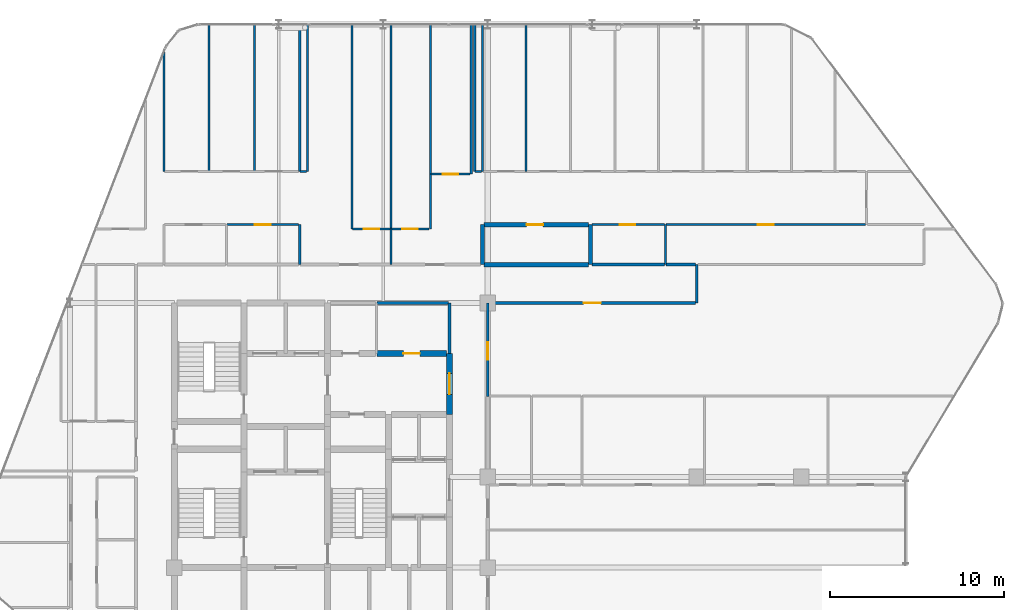
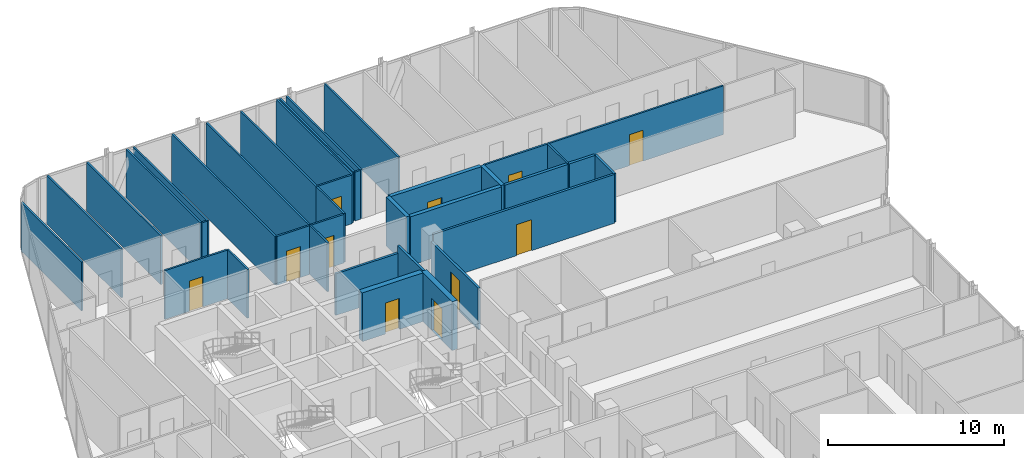
# One storey, part 29 of 31: 36 walls, 11 doors, 11 openings.
"""IFC4 building model written with IfcOpenShell, lengths in metres."""

from ifc_helpers import new_model, si_unit, direction, frame, frame_2d, origin, place, context, subcontext, project, spatial, rectangle, extrude, material, layer, layer_set, type_object, element, fill, save


model = new_model("IFC4")

# Units and contexts
model_context = context("Model", 3, precision=1e-05, world=origin(), true_north=direction((0.0, 1.0)))
body_context = subcontext(model_context, "Body", "Model", "MODEL_VIEW")
ifc_project = project(units=[si_unit("LENGTHUNIT", "METRE"), si_unit("AREAUNIT", "SQUARE_METRE"), si_unit("VOLUMEUNIT", "CUBIC_METRE"), si_unit("PLANEANGLEUNIT", "RADIAN"), si_unit("MASSUNIT", "GRAM", prefix="KILO")], contexts=[model_context])

# Site, building, storey
site_placement = place(None, origin())
site = spatial("IfcSite", under=ifc_project, at=site_placement, CompositionType="ELEMENT")
building_placement = place(site_placement, origin())
building = spatial("IfcBuilding", under=site, at=building_placement, Name="Keshet Zoharim Tower", CompositionType="ELEMENT")
storey_placement = place(building_placement, frame((0.0, 0.0, 144.60009765625)))
storey = spatial("IfcBuildingStorey", under=building, at=storey_placement, Name="L35", CompositionType="ELEMENT", Elevation=144.60009765625)

# Wall
ifc_material_1 = material(Name="Gypsum Plasterboard", Category="gypsum")
ifc_layer_1 = layer(ifc_material_1, 0.14990234375)
ifc_layer_set_1 = layer_set([ifc_layer_1], Name="Gypsum Plasterboard")
wall_type_1 = type_object("IfcWallType", Name="WL-CLIN-150", PredefinedType="STANDARD", material=ifc_layer_set_1)
wall_1_placement = place(storey_placement, frame((30.800048828125, 35.0, 0.0), z_axis=(0.0, 0.0, 1.0), x_axis=(0.0, 1.0, 0.0)))
element("IfcWall", 1, at=wall_1_placement, inside=storey, type_object=wall_type_1, Name="L35 Interior Wall 064", PredefinedType="STANDARD", context=body_context, shape_type="SweptSolid", body=[
    extrude(rectangle(XDim=2.89990234375, YDim=0.14990234375, at=frame_2d((1.449951171875, 0.0))), origin(), (0.0, 0.0, 1.0), 3.385009765625),
])

# Wall, opening, door
wall_2_placement = place(storey_placement, frame((33.0, 32.5400390625, 0.0), z_axis=(0.0, 0.0, 1.0), x_axis=(0.0, 1.0, 0.0)))
wall_2 = element("IfcWall", 2, at=wall_2_placement, inside=storey, type_object=wall_type_1, Name="L35 Interior Wall 072", PredefinedType="STANDARD", context=body_context, shape_type="SweptSolid", body=[
    extrude(rectangle(XDim=5.35986328125, YDim=0.14990234375, at=frame_2d((2.679931640625, 0.0))), origin(), (0.0, 0.0, 1.0), 2.885009765625),
])
opening_1_placement = place(wall_2_placement, frame((2.10888671875, 0.0, 0.0)))
opening_1 = element("IfcOpeningElement", 3, at=opening_1_placement, cuts=wall_2, Name="Opening D-F310", PredefinedType="OPENING", context=body_context, shape_type="SweptSolid", body=[
    extrude(rectangle(XDim=1.0, YDim=2.14990234375, at=frame_2d((0.5, 1.074951171875))), frame((0.0, 0.0849609375, 0.0), z_axis=(0.0, -1.0, 0.0), x_axis=(1.0, 0.0, 0.0)), (0.0, 0.0, 1.0), 0.169921875),
])
ifc_material_2 = material(Name="Hardwood Timber", Category="wood")
door_type_1 = type_object("IfcDoorType", Name="DR-FD30-100", OperationType="NOTDEFINED", PredefinedType="DOOR", material=ifc_material_2)
door_1_placement = place(opening_1_placement, origin())
door_1 = element("IfcDoor", 4, at=door_1_placement, inside=storey, type_object=door_type_1, Name="L35 North East Residents Services Suite Door 2", OperationType="SINGLE_SWING_RIGHT", OverallHeight=2.14990234375, OverallWidth=1.0, PredefinedType="DOOR", context=body_context, shape_type="SweptSolid", body=[
    extrude(rectangle(XDim=1.0, YDim=2.14990234375, at=frame_2d((0.5, 1.074951171875))), frame((0.0, 0.02490234375, 0.0), z_axis=(0.0, -1.0, 0.0), x_axis=(1.0, 0.0, 0.0)), (0.0, 0.0, 1.0), 0.050048828125),
])
fill(opening_1, door_1)

# Walls
wall_3_placement = place(storey_placement, frame((45.0, 37.89990234375, 0.0), z_axis=(0.0, 0.0, 1.0), x_axis=(0.0, 1.0, 0.0)))
element("IfcWall", 5, at=wall_3_placement, inside=storey, type_object=wall_type_1, Name="L35 Interior Wall 090", PredefinedType="STANDARD", context=body_context, shape_type="SweptSolid", body=[
    extrude(rectangle(XDim=2.2001953125, YDim=0.14990234375, at=frame_2d((1.10009765625, 0.0))), origin(), (0.0, 0.0, 1.0), 3.385009765625),
])
wall_4_placement = place(storey_placement, frame((26.64501953125, 37.89990234375, 0.0), z_axis=(0.0, 0.0, 1.0), x_axis=(1.0, 0.0, 0.0)))
element("IfcWall", 6, at=wall_4_placement, inside=storey, type_object=wall_type_1, Name="L35 Interior Wall 174", PredefinedType="STANDARD", context=body_context, shape_type="SweptSolid", body=[
    extrude(rectangle(XDim=4.094970703125, YDim=0.14990234375, at=frame_2d((2.04736328125, 0.0))), origin(), (0.0, 0.0, 1.0), 2.885009765625),
])

# Wall, opening, door
wall_5_placement = place(storey_placement, frame((33.06005859375, 37.89990234375, 0.0), z_axis=(0.0, 0.0, 1.0), x_axis=(1.0, 0.0, 0.0)))
wall_5 = element("IfcWall", 7, at=wall_5_placement, inside=storey, type_object=wall_type_1, Name="L35 Interior Wall 175", PredefinedType="STANDARD", context=body_context, shape_type="SweptSolid", body=[
    extrude(rectangle(XDim=11.87890625, YDim=0.14990234375, at=frame_2d((5.939453125, 0.0))), origin(), (0.0, 0.0, 1.0), 3.385009765625),
])
opening_2_placement = place(wall_5_placement, frame((5.43896484375, 0.0, 0.0)))
opening_2 = element("IfcOpeningElement", 8, at=opening_2_placement, cuts=wall_5, Name="Opening D-F310", PredefinedType="OPENING", context=body_context, shape_type="SweptSolid", body=[
    extrude(rectangle(XDim=1.0, YDim=2.14990234375, at=frame_2d((0.5, 1.074951171875))), frame((0.0, 0.0849609375, 0.0), z_axis=(0.0, -1.0, 0.0), x_axis=(1.0, 0.0, 0.0)), (0.0, 0.0, 1.0), 0.169921875),
])
door_2_placement = place(opening_2_placement, origin())
door_2 = element("IfcDoor", 9, at=door_2_placement, inside=storey, type_object=door_type_1, Name="L35 North East Residents Services Suite Door 1", OperationType="SINGLE_SWING_RIGHT", OverallHeight=2.14990234375, OverallWidth=1.0, PredefinedType="DOOR", context=body_context, shape_type="SweptSolid", body=[
    extrude(rectangle(XDim=1.0, YDim=2.14990234375, at=frame_2d((0.5, 1.074951171875))), frame((0.0, 0.02490234375, 0.0), z_axis=(0.0, -1.0, 0.0), x_axis=(1.0, 0.0, 0.0)), (0.0, 0.0, 1.0), 0.050048828125),
])
fill(opening_2, door_2)

ifc_material_3 = material(Name="Concrete C60/75", Category="concrete")
ifc_layer_2 = layer(ifc_material_3, 0.35009765625)
ifc_layer_set_2 = layer_set([ifc_layer_2], Name="Concrete C60/75")
wall_type_2 = type_object("IfcWallType", Name="WL-CORE-350", PredefinedType="SHEAR", material=ifc_layer_set_2)
wall_6_placement = place(storey_placement, frame((30.800048828125, 31.5, 0.0), z_axis=(0.0, 0.0, 1.0), x_axis=(0.0, 1.0, 0.0)))
wall_6 = element("IfcWall", 10, at=wall_6_placement, inside=storey, type_object=wall_type_2, Name="L35 Core Shear Wall 063", PredefinedType="SHEAR", context=body_context, shape_type="SweptSolid", body=[
    extrude(rectangle(XDim=3.5, YDim=0.35009765625, at=frame_2d((1.75, 0.0))), origin(), (0.0, 0.0, 1.0), 3.385009765625),
])
opening_3_placement = place(wall_6_placement, frame((1.14990234375, 0.0, 0.0)))
opening_3 = element("IfcOpeningElement", 11, at=opening_3_placement, cuts=wall_6, Name="Opening D-F612", PredefinedType="OPENING", context=body_context, shape_type="SweptSolid", body=[
    extrude(rectangle(XDim=1.199951171875, YDim=2.199951171875, at=frame_2d((0.60009765625, 1.10009765625))), frame((0.0, 0.18505859375, 0.0), z_axis=(0.0, -1.0, 0.0), x_axis=(1.0, 0.0, 0.0)), (0.0, 0.0, 1.0), 0.3701171875),
])
door_type_2 = type_object("IfcDoorType", Name="DR-FD60-120", OperationType="NOTDEFINED", PredefinedType="DOOR", material=ifc_material_2)
door_3_placement = place(opening_3_placement, origin())
door_3 = element("IfcDoor", 12, at=door_3_placement, inside=storey, type_object=door_type_2, Name="L35 North Lift Lobby East Fire Door", OperationType="SINGLE_SWING_LEFT", OverallHeight=2.199951171875, OverallWidth=1.199951171875, PredefinedType="DOOR", context=body_context, shape_type="SweptSolid", body=[
    extrude(rectangle(XDim=1.199951171875, YDim=2.199951171875, at=frame_2d((0.60009765625, 1.10009765625))), frame((0.0, 0.02490234375, 0.0), z_axis=(0.0, -1.0, 0.0), x_axis=(1.0, 0.0, 0.0)), (0.0, 0.0, 1.0), 0.050048828125),
])
fill(opening_3, door_3)

wall_7_placement = place(storey_placement, frame((26.64501953125, 35.0, 0.0), z_axis=(0.0, 0.0, 1.0), x_axis=(1.0, 0.0, 0.0)))
wall_7 = element("IfcWall", 13, at=wall_7_placement, inside=storey, type_object=wall_type_2, Name="L35 Core Shear Wall 170", PredefinedType="SHEAR", context=body_context, shape_type="SweptSolid", body=[
    extrude(rectangle(XDim=3.994873046875, YDim=0.35009765625, at=frame_2d((1.99755859375, 0.0))), origin(), (0.0, 0.0, 1.0), 3.385009765625),
])
opening_4_placement = place(wall_7_placement, frame((1.508056640625, 0.0, 0.0)))
opening_4 = element("IfcOpeningElement", 14, at=opening_4_placement, cuts=wall_7, Name="Opening D-F695", PredefinedType="OPENING", context=body_context, shape_type="SweptSolid", body=[
    extrude(rectangle(XDim=0.949951171875, YDim=2.14990234375, at=frame_2d((0.47509765625, 1.074951171875))), frame((0.0, 0.18505859375, 0.0), z_axis=(0.0, -1.0, 0.0), x_axis=(1.0, 0.0, 0.0)), (0.0, 0.0, 1.0), 0.3701171875),
])
door_type_3 = type_object("IfcDoorType", Name="DR-FD60-095", OperationType="NOTDEFINED", PredefinedType="DOOR", material=ifc_material_2)
door_4_placement = place(opening_4_placement, frame((0.949951171875, 0.0, 0.0), z_axis=(0.0, 0.0, 1.0), x_axis=(-1.0, 0.0, 0.0)))
door_4 = element("IfcDoor", 15, at=door_4_placement, inside=storey, type_object=door_type_3, Name="L35 Quiet Study Room Door", OperationType="SINGLE_SWING_LEFT", OverallHeight=2.14990234375, OverallWidth=0.949951171875, PredefinedType="DOOR", context=body_context, shape_type="SweptSolid", body=[
    extrude(rectangle(XDim=0.949951171875, YDim=2.14990234375, at=frame_2d((0.47509765625, 1.074951171875))), frame((0.0, 0.02490234375, 0.0), z_axis=(0.0, -1.0, 0.0), x_axis=(1.0, 0.0, 0.0)), (0.0, 0.0, 1.0), 0.050048828125),
])
fill(opening_4, door_4)

# Walls
ifc_layer_3 = layer(ifc_material_1, 0.179931640625)
ifc_layer_set_3 = layer_set([ifc_layer_3], Name="Gypsum Plasterboard")
wall_type_3 = type_object("IfcWallType", Name="WL-CORR-180", PredefinedType="STANDARD", material=ifc_layer_set_3)
wall_8_placement = place(storey_placement, frame((38.989990234375, 40.10009765625, 0.0), z_axis=(0.0, 0.0, 1.0), x_axis=(1.0, 0.0, 0.0)))
element("IfcWall", 16, at=wall_8_placement, inside=storey, type_object=wall_type_3, Name="L35 Interior Wall 183", PredefinedType="STANDARD", context=body_context, shape_type="SweptSolid", body=[
    extrude(rectangle(XDim=4.14501953125, YDim=0.179931640625, at=frame_2d((2.072509765625, 0.0))), origin(), (0.0, 0.0, 1.0), 3.385009765625),
])
wall_9_placement = place(storey_placement, frame((43.22509765625, 40.10009765625, 0.0), z_axis=(0.0, 0.0, 1.0), x_axis=(1.0, 0.0, 0.0)))
element("IfcWall", 17, at=wall_9_placement, inside=storey, type_object=wall_type_3, Name="L35 Interior Wall 184", PredefinedType="STANDARD", context=body_context, shape_type="SweptSolid", body=[
    extrude(rectangle(XDim=1.71484375, YDim=0.179931640625, at=frame_2d((0.857421875, 0.0))), origin(), (0.0, 0.0, 1.0), 3.385009765625),
])
ifc_material_4 = material(Name="Concrete C50/60", Category="concrete")
ifc_layer_4 = layer(ifc_material_4, 0.25)
ifc_layer_set_4 = layer_set([ifc_layer_4], Name="Concrete C50/60")
wall_type_4 = type_object("IfcWallType", Name="WL-MAMAD-250", PredefinedType="STANDARD", material=ifc_layer_set_4)
for number, where, z_axis, x_axis, name in (
    (18, (32.699951171875, 40.10009765625, 0.0), (0.0, 0.0, 1.0), (0.0, 1.0, 0.0), "L35 Interior Wall 067"),
    (19, (38.89990234375, 40.10009765625, 0.0), (0.0, 0.0, 1.0), (0.0, 1.0, 0.0), "L35 Interior Wall 083"),
):
    element("IfcWall", number, at=place(storey_placement, frame(where, z_axis=z_axis, x_axis=x_axis)), inside=storey, type_object=wall_type_4, Name=name, PredefinedType="STANDARD", context=body_context, shape_type="SweptSolid", body=[
        extrude(rectangle(XDim=2.2998046875, YDim=0.25, at=frame_2d((1.14990234375, 0.0))), origin(), (0.0, 0.0, 1.0), 3.385009765625),
    ])
wall_10_placement = place(storey_placement, frame((32.7900390625, 40.10009765625, 0.0), z_axis=(0.0, 0.0, 1.0), x_axis=(1.0, 0.0, 0.0)))
element("IfcWall", 20, at=wall_10_placement, inside=storey, type_object=wall_type_4, Name="L35 Interior Wall 182", PredefinedType="STANDARD", context=body_context, shape_type="SweptSolid", body=[
    extrude(rectangle(XDim=5.97998046875, YDim=0.25, at=frame_2d((2.989990234375, 0.0))), origin(), (0.0, 0.0, 1.0), 3.385009765625),
])

# Wall, opening, door
wall_11_placement = place(storey_placement, frame((32.7900390625, 42.39990234375, 0.0), z_axis=(0.0, 0.0, 1.0), x_axis=(1.0, 0.0, 0.0)))
wall_11 = element("IfcWall", 21, at=wall_11_placement, inside=storey, type_object=wall_type_4, Name="L35 Interior Wall 191", PredefinedType="STANDARD", context=body_context, shape_type="SweptSolid", body=[
    extrude(rectangle(XDim=5.97998046875, YDim=0.25, at=frame_2d((2.989990234375, 0.0))), origin(), (0.0, 0.0, 1.0), 3.385009765625),
])
opening_5_placement = place(wall_11_placement, frame((2.443115234375, 0.0, 0.0)))
opening_5 = element("IfcOpeningElement", 22, at=opening_5_placement, cuts=wall_11, Name="Opening D-F695", PredefinedType="OPENING", context=body_context, shape_type="SweptSolid", body=[
    extrude(rectangle(XDim=0.949951171875, YDim=2.14990234375, at=frame_2d((0.47509765625, 1.074951171875))), frame((0.0, 0.135009765625, 0.0), z_axis=(0.0, -1.0, 0.0), x_axis=(1.0, 0.0, 0.0)), (0.0, 0.0, 1.0), 0.27001953125),
])
door_5_placement = place(opening_5_placement, origin())
door_5 = element("IfcDoor", 23, at=door_5_placement, inside=storey, type_object=door_type_3, Name="Apartment 3506 Study and Shelter Room Door", OperationType="SINGLE_SWING_RIGHT", OverallHeight=2.14990234375, OverallWidth=0.949951171875, PredefinedType="DOOR", context=body_context, shape_type="SweptSolid", body=[
    extrude(rectangle(XDim=0.949951171875, YDim=2.14990234375, at=frame_2d((0.47509765625, 1.074951171875))), frame((0.0, 0.02490234375, 0.0), z_axis=(0.0, -1.0, 0.0), x_axis=(1.0, 0.0, 0.0)), (0.0, 0.0, 1.0), 0.050048828125),
])
fill(opening_5, door_5)

# Walls
ifc_layer_5 = layer(ifc_material_1, 0.1201171875)
ifc_layer_set_5 = layer_set([ifc_layer_5], Name="Gypsum Plasterboard")
wall_type_5 = type_object("IfcWallType", Name="WL-PART-120", PredefinedType="PARTITIONING", material=ifc_layer_set_5)
wall_12_placement = place(storey_placement, frame((14.39990234375, 45.449951171875, 0.0), z_axis=(0.0, 0.0, 1.0), x_axis=(0.0, 1.0, 0.0)))
element("IfcWall", 24, at=wall_12_placement, inside=storey, type_object=wall_type_5, Name="L35 Interior Wall 013", PredefinedType="PARTITIONING", context=body_context, shape_type="SweptSolid", body=[
    extrude(rectangle(XDim=6.880126953125, YDim=0.1201171875, at=frame_2d((3.43994140625, 0.0))), origin(), (0.0, 0.0, 1.0), 3.385009765625),
])
for number, where, z_axis, x_axis, name in (
    (25, (17.0, 45.449951171875, 0.0), (0.0, 0.0, 1.0), (0.0, 1.0, 0.0), "L35 Interior Wall 020"),
    (26, (19.60009765625, 45.449951171875, 0.0), (0.0, 0.0, 1.0), (0.0, 1.0, 0.0), "L35 Interior Wall 029"),
    (27, (22.199951171875, 45.449951171875, 0.0), (0.0, 0.0, 1.0), (0.0, 1.0, 0.0), "L35 Interior Wall 034"),
    (28, (22.64990234375, 45.449951171875, 0.0), (0.0, 0.0, 1.0), (0.0, 1.0, 0.0), "L35 Interior Wall 035"),
):
    element("IfcWall", number, at=place(storey_placement, frame(where, z_axis=z_axis, x_axis=x_axis)), inside=storey, type_object=wall_type_5, Name=name, PredefinedType="PARTITIONING", context=body_context, shape_type="SweptSolid", body=[
        extrude(rectangle(XDim=8.43994140625, YDim=0.1201171875, at=frame_2d((4.219970703125, 0.0))), origin(), (0.0, 0.0, 1.0), 3.385009765625),
    ])
wall_13_placement = place(storey_placement, frame((25.199951171875, 42.14990234375, 0.0), z_axis=(0.0, 0.0, 1.0), x_axis=(0.0, 1.0, 0.0)))
element("IfcWall", 29, at=wall_13_placement, inside=storey, type_object=wall_type_5, Name="L35 Interior Wall 043", PredefinedType="PARTITIONING", context=body_context, shape_type="SweptSolid", body=[
    extrude(rectangle(XDim=11.739990234375, YDim=0.1201171875, at=frame_2d((5.8701171875, 0.0))), origin(), (0.0, 0.0, 1.0), 3.385009765625),
])
wall_14_placement = place(storey_placement, frame((27.449951171875, 40.10009765625, 0.0), z_axis=(0.0, 0.0, 1.0), x_axis=(0.0, 1.0, 0.0)))
element("IfcWall", 30, at=wall_14_placement, inside=storey, type_object=wall_type_5, Name="L35 Interior Wall 051", PredefinedType="PARTITIONING", context=body_context, shape_type="SweptSolid", body=[
    extrude(rectangle(XDim=2.0498046875, YDim=0.1201171875, at=frame_2d((1.02490234375, 0.0))), origin(), (0.0, 0.0, 1.0), 3.385009765625),
])
wall_15_placement = place(storey_placement, frame((27.449951171875, 42.14990234375, 0.0), z_axis=(0.0, 0.0, 1.0), x_axis=(0.0, 1.0, 0.0)))
element("IfcWall", 31, at=wall_15_placement, inside=storey, type_object=wall_type_5, Name="L35 Interior Wall 052", PredefinedType="PARTITIONING", context=body_context, shape_type="SweptSolid", body=[
    extrude(rectangle(XDim=11.739990234375, YDim=0.1201171875, at=frame_2d((5.8701171875, 0.0))), origin(), (0.0, 0.0, 1.0), 3.385009765625),
])
wall_16_placement = place(storey_placement, frame((29.699951171875, 42.14990234375, 0.0), z_axis=(0.0, 0.0, 1.0), x_axis=(0.0, 1.0, 0.0)))
element("IfcWall", 32, at=wall_16_placement, inside=storey, type_object=wall_type_5, Name="L35 Interior Wall 056", PredefinedType="PARTITIONING", context=body_context, shape_type="SweptSolid", body=[
    extrude(rectangle(XDim=3.150146484375, YDim=0.1201171875, at=frame_2d((1.5751953125, 0.0))), origin(), (0.0, 0.0, 1.0), 3.385009765625),
])
for number, where, z_axis, x_axis, name in (
    (33, (29.699951171875, 45.300048828125, 0.0), (0.0, 0.0, 1.0), (0.0, 1.0, 0.0), "L35 Interior Wall 057"),
    (34, (32.050048828125, 45.300048828125, 0.0), (0.0, 0.0, 1.0), (0.0, 1.0, 0.0), "L35 Interior Wall 065"),
):
    element("IfcWall", number, at=place(storey_placement, frame(where, z_axis=z_axis, x_axis=x_axis)), inside=storey, type_object=wall_type_5, Name=name, PredefinedType="PARTITIONING", context=body_context, shape_type="SweptSolid", body=[
        extrude(rectangle(XDim=8.58984375, YDim=0.1201171875, at=frame_2d((4.294921875, 0.0))), origin(), (0.0, 0.0, 1.0), 3.385009765625),
    ])
for number, where, z_axis, x_axis, name in (
    (35, (32.25, 45.449951171875, 0.0), (0.0, 0.0, 1.0), (0.0, 1.0, 0.0), "L35 Interior Wall 066"),
    (36, (32.699951171875, 45.449951171875, 0.0), (0.0, 0.0, 1.0), (0.0, 1.0, 0.0), "L35 Interior Wall 068"),
    (37, (35.199951171875, 45.449951171875, 0.0), (0.0, 0.0, 1.0), (0.0, 1.0, 0.0), "L35 Interior Wall 076"),
):
    element("IfcWall", number, at=place(storey_placement, frame(where, z_axis=z_axis, x_axis=x_axis)), inside=storey, type_object=wall_type_5, Name=name, PredefinedType="PARTITIONING", context=body_context, shape_type="SweptSolid", body=[
        extrude(rectangle(XDim=8.43994140625, YDim=0.1201171875, at=frame_2d((4.219970703125, 0.0))), origin(), (0.0, 0.0, 1.0), 3.385009765625),
    ])

# Wall, openings, doors
wall_17_placement = place(storey_placement, frame((25.22509765625, 42.14990234375, 0.0), z_axis=(0.0, 0.0, 1.0), x_axis=(1.0, 0.0, 0.0)))
wall_17 = element("IfcWall", 38, at=wall_17_placement, inside=storey, type_object=wall_type_5, Name="L35 Interior Wall 187", PredefinedType="PARTITIONING", context=body_context, shape_type="SweptSolid", body=[
    extrude(rectangle(XDim=4.409912109375, YDim=0.1201171875, at=frame_2d((2.205078125, 0.0))), origin(), (0.0, 0.0, 1.0), 3.385009765625),
])
opening_6_placement = place(wall_17_placement, frame((0.655029296875, 0.0, 0.0)))
opening_6 = element("IfcOpeningElement", 39, at=opening_6_placement, cuts=wall_17, Name="Opening D-IN90", PredefinedType="OPENING", context=body_context, shape_type="SweptSolid", body=[
    extrude(rectangle(XDim=0.89990234375, YDim=2.14990234375, at=frame_2d((0.449951171875, 1.074951171875))), frame((0.0, 0.070068359375, 0.0), z_axis=(0.0, -1.0, 0.0), x_axis=(1.0, 0.0, 0.0)), (0.0, 0.0, 1.0), 0.14013671875),
])
opening_7_placement = place(wall_17_placement, frame((2.85498046875, 0.0, 0.0)))
opening_7 = element("IfcOpeningElement", 40, at=opening_7_placement, cuts=wall_17, Name="Opening D-IN90", PredefinedType="OPENING", context=body_context, shape_type="SweptSolid", body=[
    extrude(rectangle(XDim=0.89990234375, YDim=2.14990234375, at=frame_2d((0.449951171875, 1.074951171875))), frame((0.0, 0.070068359375, 0.0), z_axis=(0.0, -1.0, 0.0), x_axis=(1.0, 0.0, 0.0)), (0.0, 0.0, 1.0), 0.14013671875),
])
door_type_4 = type_object("IfcDoorType", Name="DR-INT-090", OperationType="NOTDEFINED", PredefinedType="DOOR", material=ifc_material_2)
door_6_placement = place(opening_6_placement, origin())
door_6 = element("IfcDoor", 41, at=door_6_placement, inside=storey, type_object=door_type_4, Name="Apartment 3505 Formal Dining Room Door", OperationType="SINGLE_SWING_RIGHT", OverallHeight=2.14990234375, OverallWidth=0.89990234375, PredefinedType="DOOR", context=body_context, shape_type="SweptSolid", body=[
    extrude(rectangle(XDim=0.89990234375, YDim=2.14990234375, at=frame_2d((0.449951171875, 1.074951171875))), frame((0.0, 0.02490234375, 0.0), z_axis=(0.0, -1.0, 0.0), x_axis=(1.0, 0.0, 0.0)), (0.0, 0.0, 1.0), 0.050048828125),
])
fill(opening_6, door_6)
door_7_placement = place(opening_7_placement, origin())
door_7 = element("IfcDoor", 42, at=door_7_placement, inside=storey, type_object=door_type_4, Name="Apartment 3506 Formal Dining Room Door", OperationType="SINGLE_SWING_LEFT", OverallHeight=2.14990234375, OverallWidth=0.89990234375, PredefinedType="DOOR", context=body_context, shape_type="SweptSolid", body=[
    extrude(rectangle(XDim=0.89990234375, YDim=2.14990234375, at=frame_2d((0.449951171875, 1.074951171875))), frame((0.0, 0.02490234375, 0.0), z_axis=(0.0, -1.0, 0.0), x_axis=(1.0, 0.0, 0.0)), (0.0, 0.0, 1.0), 0.050048828125),
])
fill(opening_7, door_7)

# Wall, opening, door
wall_18_placement = place(storey_placement, frame((43.22509765625, 42.39990234375, 0.0), z_axis=(0.0, 0.0, 1.0), x_axis=(1.0, 0.0, 0.0)))
wall_18 = element("IfcWall", 43, at=wall_18_placement, inside=storey, type_object=wall_type_5, Name="L35 Interior Wall 193", PredefinedType="PARTITIONING", context=body_context, shape_type="SweptSolid", body=[
    extrude(rectangle(XDim=11.47998046875, YDim=0.1201171875, at=frame_2d((5.739990234375, 0.0))), origin(), (0.0, 0.0, 1.0), 3.385009765625),
])
opening_8_placement = place(wall_18_placement, frame((5.2900390625, 0.0, 0.0)))
opening_8 = element("IfcOpeningElement", 44, at=opening_8_placement, cuts=wall_18, Name="Opening D-IN90", PredefinedType="OPENING", context=body_context, shape_type="SweptSolid", body=[
    extrude(rectangle(XDim=0.89990234375, YDim=2.14990234375, at=frame_2d((0.449951171875, 1.074951171875))), frame((0.0, 0.070068359375, 0.0), z_axis=(0.0, -1.0, 0.0), x_axis=(1.0, 0.0, 0.0)), (0.0, 0.0, 1.0), 0.14013671875),
])
door_8_placement = place(opening_8_placement, origin())
door_8 = element("IfcDoor", 45, at=door_8_placement, inside=storey, type_object=door_type_4, Name="Apartment 3506 Kitchen Door", OperationType="SINGLE_SWING_RIGHT", OverallHeight=2.14990234375, OverallWidth=0.89990234375, PredefinedType="DOOR", context=body_context, shape_type="SweptSolid", body=[
    extrude(rectangle(XDim=0.89990234375, YDim=2.14990234375, at=frame_2d((0.449951171875, 1.074951171875))), frame((0.0, 0.02490234375, 0.0), z_axis=(0.0, -1.0, 0.0), x_axis=(1.0, 0.0, 0.0)), (0.0, 0.0, 1.0), 0.050048828125),
])
fill(opening_8, door_8)

wall_19_placement = place(storey_placement, frame((29.72509765625, 45.300048828125, 0.0), z_axis=(0.0, 0.0, 1.0), x_axis=(1.0, 0.0, 0.0)))
wall_19 = element("IfcWall", 46, at=wall_19_placement, inside=storey, type_object=wall_type_5, Name="L35 Interior Wall 195", PredefinedType="PARTITIONING", context=body_context, shape_type="SweptSolid", body=[
    extrude(rectangle(XDim=2.260009765625, YDim=0.1201171875, at=frame_2d((1.1298828125, 0.0))), origin(), (0.0, 0.0, 1.0), 3.385009765625),
])
opening_9_placement = place(wall_19_placement, frame((0.679931640625, 0.0, 0.0)))
opening_9 = element("IfcOpeningElement", 47, at=opening_9_placement, cuts=wall_19, Name="Opening D-IN90", PredefinedType="OPENING", context=body_context, shape_type="SweptSolid", body=[
    extrude(rectangle(XDim=0.89990234375, YDim=2.14990234375, at=frame_2d((0.449951171875, 1.074951171875))), frame((0.0, 0.070068359375, 0.0), z_axis=(0.0, -1.0, 0.0), x_axis=(1.0, 0.0, 0.0)), (0.0, 0.0, 1.0), 0.14013671875),
])
door_9_placement = place(opening_9_placement, origin())
door_9 = element("IfcDoor", 48, at=door_9_placement, inside=storey, type_object=door_type_4, Name="Apartment 3506 Home Study Room Door", OperationType="SINGLE_SWING_LEFT", OverallHeight=2.14990234375, OverallWidth=0.89990234375, PredefinedType="DOOR", context=body_context, shape_type="SweptSolid", body=[
    extrude(rectangle(XDim=0.89990234375, YDim=2.14990234375, at=frame_2d((0.449951171875, 1.074951171875))), frame((0.0, 0.02490234375, 0.0), z_axis=(0.0, -1.0, 0.0), x_axis=(1.0, 0.0, 0.0)), (0.0, 0.0, 1.0), 0.050048828125),
])
fill(opening_9, door_9)

# Walls
wall_20_placement = place(storey_placement, frame((22.22509765625, 45.449951171875, 0.0), z_axis=(0.0, 0.0, 1.0), x_axis=(1.0, 0.0, 0.0)))
element("IfcWall", 49, at=wall_20_placement, inside=storey, type_object=wall_type_5, Name="L35 Interior Wall 197", PredefinedType="PARTITIONING", context=body_context, shape_type="SweptSolid", body=[
    extrude(rectangle(XDim=0.35986328125, YDim=0.1201171875, at=frame_2d((0.179931640625, 0.0))), origin(), (0.0, 0.0, 1.0), 3.385009765625),
])
wall_21_placement = place(storey_placement, frame((32.27490234375, 45.449951171875, 0.0), z_axis=(0.0, 0.0, 1.0), x_axis=(1.0, 0.0, 0.0)))
element("IfcWall", 50, at=wall_21_placement, inside=storey, type_object=wall_type_5, Name="L35 Interior Wall 198", PredefinedType="PARTITIONING", context=body_context, shape_type="SweptSolid", body=[
    extrude(rectangle(XDim=0.360107421875, YDim=0.1201171875, at=frame_2d((0.18017578125, 0.0))), origin(), (0.0, 0.0, 1.0), 3.385009765625),
])
ifc_layer_6 = layer(ifc_material_1, 0.1201171875)
ifc_layer_set_6 = layer_set([ifc_layer_6], Name="Gypsum Plasterboard")
wall_type_6 = type_object("IfcWallType", Name="WL-WET-120", PredefinedType="PARTITIONING", material=ifc_layer_set_6)
for number, where, z_axis, x_axis, name in (
    (51, (22.199951171875, 40.10009765625, 0.0), (0.0, 0.0, 1.0), (0.0, 1.0, 0.0), "L35 Interior Wall 033"),
    (52, (43.199951171875, 40.10009765625, 0.0), (0.0, 0.0, 1.0), (0.0, 1.0, 0.0), "L35 Interior Wall 089"),
):
    element("IfcWall", number, at=place(storey_placement, frame(where, z_axis=z_axis, x_axis=x_axis)), inside=storey, type_object=wall_type_6, Name=name, PredefinedType="PARTITIONING", context=body_context, shape_type="SweptSolid", body=[
        extrude(rectangle(XDim=2.2998046875, YDim=0.1201171875, at=frame_2d((1.14990234375, 0.0))), origin(), (0.0, 0.0, 1.0), 3.385009765625),
    ])

# Wall, opening, door
wall_22_placement = place(storey_placement, frame((18.02392578125, 42.39990234375, 0.0), z_axis=(0.0, 0.0, 1.0), x_axis=(1.0, 0.0, 0.0)))
wall_22 = element("IfcWall", 53, at=wall_22_placement, inside=storey, type_object=wall_type_6, Name="L35 Interior Wall 190", PredefinedType="PARTITIONING", context=body_context, shape_type="SweptSolid", body=[
    extrude(rectangle(XDim=4.111083984375, YDim=0.1201171875, at=frame_2d((2.0556640625, 0.0))), origin(), (0.0, 0.0, 1.0), 3.385009765625),
])
opening_10_placement = place(wall_22_placement, frame((1.60498046875, 0.0, 0.0)))
opening_10 = element("IfcOpeningElement", 54, at=opening_10_placement, cuts=wall_22, Name="Opening D-WT90", PredefinedType="OPENING", context=body_context, shape_type="SweptSolid", body=[
    extrude(rectangle(XDim=0.89990234375, YDim=2.10009765625, at=frame_2d((0.449951171875, 1.050048828125))), frame((0.0, 0.070068359375, 0.0), z_axis=(0.0, -1.0, 0.0), x_axis=(1.0, 0.0, 0.0)), (0.0, 0.0, 1.0), 0.14013671875),
])
door_type_5 = type_object("IfcDoorType", Name="DR-WET-090", OperationType="NOTDEFINED", PredefinedType="DOOR", material=ifc_material_2)
door_10_placement = place(opening_10_placement, origin())
door_10 = element("IfcDoor", 55, at=door_10_placement, inside=storey, type_object=door_type_5, Name="Apartment 3505 Bathroom Door", OperationType="SINGLE_SWING_LEFT", OverallHeight=2.10009765625, OverallWidth=0.89990234375, PredefinedType="DOOR", context=body_context, shape_type="SweptSolid", body=[
    extrude(rectangle(XDim=0.89990234375, YDim=2.10009765625, at=frame_2d((0.449951171875, 1.050048828125))), frame((0.0, 0.02490234375, 0.0), z_axis=(0.0, -1.0, 0.0), x_axis=(1.0, 0.0, 0.0)), (0.0, 0.0, 1.0), 0.050048828125),
])
fill(opening_10, door_10)

wall_23_placement = place(storey_placement, frame((38.989990234375, 42.39990234375, 0.0), z_axis=(0.0, 0.0, 1.0), x_axis=(1.0, 0.0, 0.0)))
wall_23 = element("IfcWall", 56, at=wall_23_placement, inside=storey, type_object=wall_type_6, Name="L35 Interior Wall 192", PredefinedType="PARTITIONING", context=body_context, shape_type="SweptSolid", body=[
    extrude(rectangle(XDim=4.14501953125, YDim=0.1201171875, at=frame_2d((2.072509765625, 0.0))), origin(), (0.0, 0.0, 1.0), 3.385009765625),
])
opening_11_placement = place(wall_23_placement, frame((1.590087890625, 0.0, 0.0)))
opening_11 = element("IfcOpeningElement", 57, at=opening_11_placement, cuts=wall_23, Name="Opening D-WT90", PredefinedType="OPENING", context=body_context, shape_type="SweptSolid", body=[
    extrude(rectangle(XDim=0.89990234375, YDim=2.10009765625, at=frame_2d((0.449951171875, 1.050048828125))), frame((0.0, 0.070068359375, 0.0), z_axis=(0.0, -1.0, 0.0), x_axis=(1.0, 0.0, 0.0)), (0.0, 0.0, 1.0), 0.14013671875),
])
door_11_placement = place(opening_11_placement, origin())
door_11 = element("IfcDoor", 58, at=door_11_placement, inside=storey, type_object=door_type_5, Name="Apartment 3506 Bathroom Door", OperationType="SINGLE_SWING_LEFT", OverallHeight=2.10009765625, OverallWidth=0.89990234375, PredefinedType="DOOR", context=body_context, shape_type="SweptSolid", body=[
    extrude(rectangle(XDim=0.89990234375, YDim=2.10009765625, at=frame_2d((0.449951171875, 1.050048828125))), frame((0.0, 0.02490234375, 0.0), z_axis=(0.0, -1.0, 0.0), x_axis=(1.0, 0.0, 0.0)), (0.0, 0.0, 1.0), 0.050048828125),
])
fill(opening_11, door_11)

save(model, "model.ifc")
